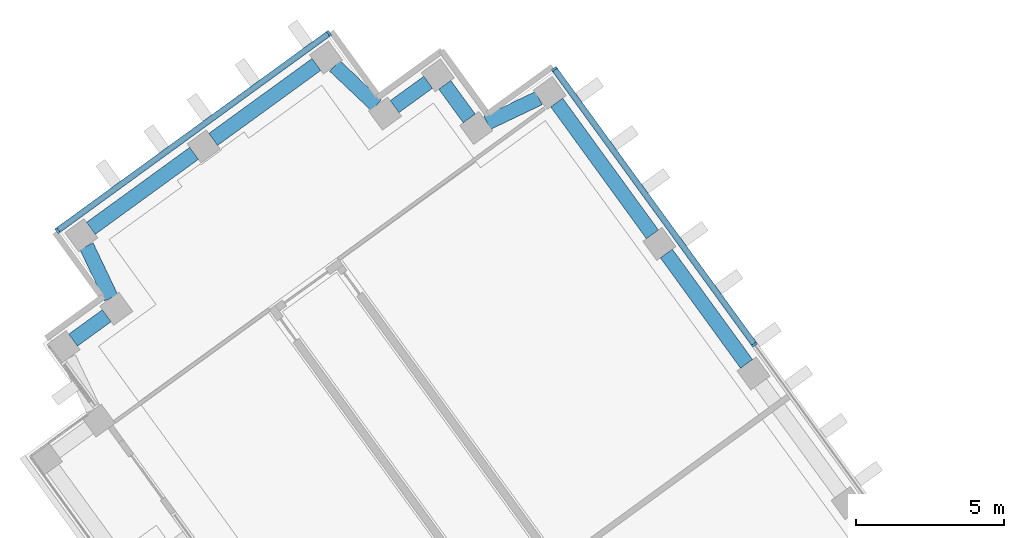
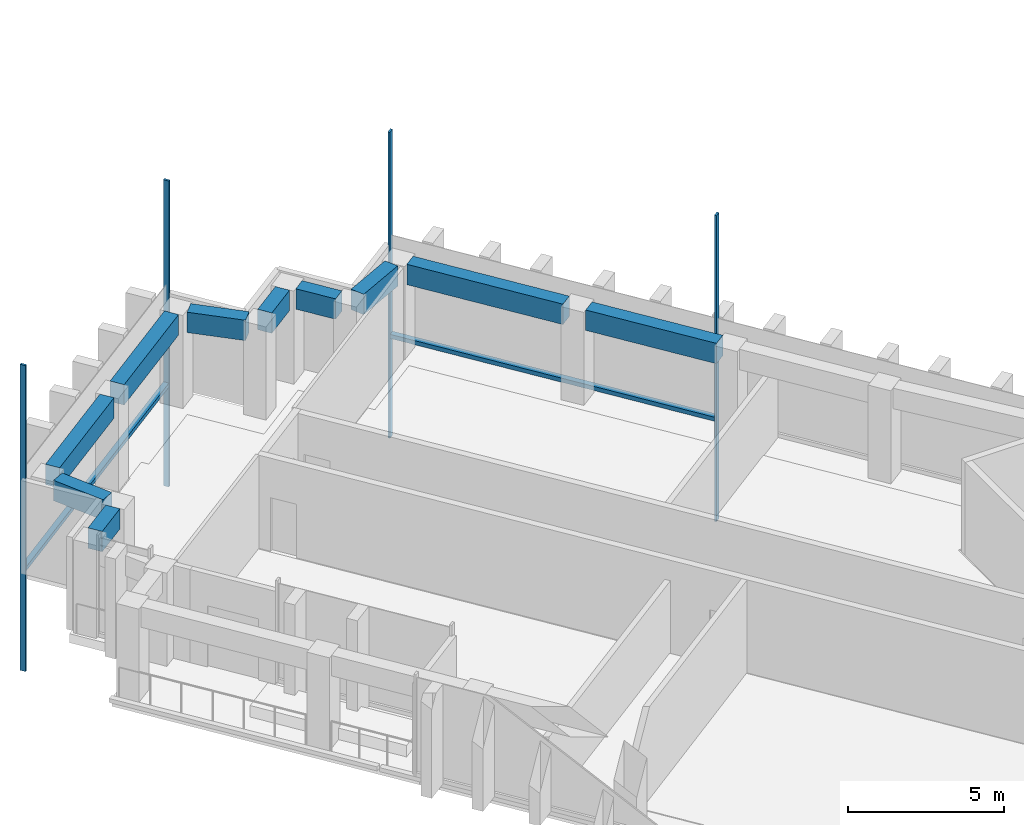
# One storey, part 4 of 13: 10 beams, 6 members, 2 elements without a shape of their own.
"""IFC4 building model written with IfcOpenShell, lengths in metres."""

from ifc_helpers import new_model, si_unit, direction, frame, origin, origin_2d, place, context, subcontext, project, spatial, rectangle, extrude, material, material_profile, profile_set, type_object, element, aggregate, save


model = new_model("IFC4")

# Units and contexts
model_context = context("Model", 3, precision=1e-05, world=origin(), true_north=direction((0.0, 1.0)))
body_context = subcontext(model_context, "Body", "Model", "MODEL_VIEW")
ifc_project = project(units=[si_unit("LENGTHUNIT", "METRE"), si_unit("AREAUNIT", "SQUARE_METRE"), si_unit("VOLUMEUNIT", "CUBIC_METRE"), si_unit("PLANEANGLEUNIT", "RADIAN"), si_unit("MASSUNIT", "GRAM", prefix="KILO")], contexts=[model_context])

# Site, building, storey
site_placement = place(None, origin())
site = spatial("IfcSite", under=ifc_project, at=site_placement, CompositionType="ELEMENT")
building_placement = place(site_placement, origin())
building = spatial("IfcBuilding", under=site, at=building_placement, Name="Quipu Civic Tower", CompositionType="ELEMENT")
storey_placement = place(building_placement, frame((0.0, 0.0, 148.0)))
storey = spatial("IfcBuildingStorey", under=building, at=storey_placement, Name="L34", CompositionType="ELEMENT", Elevation=148.0)

# Curtain wall, members
ifc_material_1 = material(Name="Insulated glass unit", Category="glass")
curtain_wall_type = type_object("IfcCurtainWallType", Name="Office curtain wall CW1", PredefinedType="NOTDEFINED", material=ifc_material_1)
curtain_wall_1_placement = place(storey_placement, origin())
curtain_wall_1 = element("IfcCurtainWall", 1, at=curtain_wall_1_placement, inside=storey, type_object=curtain_wall_type, Name="Office curtain wall CW1 L33 run 32", PredefinedType="NOTDEFINED")
ifc_material_2 = material(Name="Anodised aluminium", Category="aluminium")
ifc_material_profile_1 = material_profile(ifc_material_2, rectangle(XDim=0.199951171875, YDim=0.080078125, at=origin_2d()), Name="RECT 200x80")
ifc_profile_set_1 = profile_set([ifc_material_profile_1], Name="Anodised aluminium")
member_type_1 = type_object("IfcMemberType", Name="Mullion CW1", PredefinedType="MULLION", material=ifc_profile_set_1)
member_1_placement = place(storey_placement, frame((-21.11669921875, 20.421630859375, -3.919921875), z_axis=(0.0, 0.0, 1.0), x_axis=(-0.809014469803, -0.587788727052, 0.0)))
member_1 = element("IfcMember", 2, at=member_1_placement, type_object=member_type_1, Name="CW1 mullion 2", PredefinedType="MULLION", context=body_context, shape_type="SweptSolid", body=[
    extrude(rectangle(XDim=0.199951171875, YDim=0.080078125, at=origin_2d()), origin(), (0.0, 0.0, 1.0), 12.0),
])
member_2_placement = place(storey_placement, frame((-27.865966796875, 29.7109375, -3.919921875), z_axis=(0.0, 0.0, 1.0), x_axis=(-0.809014469803, -0.587788727052, 0.0)))
member_2 = element("IfcMember", 3, at=member_2_placement, type_object=member_type_1, Name="CW1 mullion 3", PredefinedType="MULLION", context=body_context, shape_type="SweptSolid", body=[
    extrude(rectangle(XDim=0.199951171875, YDim=0.080078125, at=origin_2d()), origin(), (0.0, 0.0, 1.0), 12.0),
])

curtain_wall_2_placement = place(storey_placement, origin())
curtain_wall_2 = element("IfcCurtainWall", 4, at=curtain_wall_2_placement, inside=storey, type_object=curtain_wall_type, Name="Office curtain wall CW1 L33 run 37", PredefinedType="NOTDEFINED")
member_3_placement = place(storey_placement, frame((-35.46435546875, 30.914306640625, -3.919921875), z_axis=(0.0, 0.0, 1.0), x_axis=(0.587787753918, -0.809015176832, 0.0)))
member_3 = element("IfcMember", 5, at=member_3_placement, type_object=member_type_1, Name="CW1 mullion 1", PredefinedType="MULLION", context=body_context, shape_type="SweptSolid", body=[
    extrude(rectangle(XDim=0.199951171875, YDim=0.080078125, at=origin_2d()), origin(), (0.0, 0.0, 1.0), 12.0),
])
member_4_placement = place(storey_placement, frame((-44.62255859375, 24.260498046875, -3.919921875), z_axis=(0.0, 0.0, 1.0), x_axis=(0.587787753918, -0.809015176832, 0.0)))
member_4 = element("IfcMember", 6, at=member_4_placement, type_object=member_type_1, Name="CW1 mullion 2", PredefinedType="MULLION", context=body_context, shape_type="SweptSolid", body=[
    extrude(rectangle(XDim=0.199951171875, YDim=0.080078125, at=origin_2d()), origin(), (0.0, 0.0, 1.0), 12.0),
])

# Beams
ifc_material_3 = material(Name="Concrete C50/60", Category="concrete")
ifc_material_profile_2 = material_profile(ifc_material_3, rectangle(XDim=0.5, YDim=0.800048828125, at=origin_2d()), Name="RC500x800")
ifc_profile_set_2 = profile_set([ifc_material_profile_2], Name="Concrete C50/60")
beam_type = type_object("IfcBeamType", Name="Spandrel beam RC 500x800 C50/60", PredefinedType="SPANDREL", material=ifc_profile_set_2)
beam_1_placement = place(storey_placement, frame((-21.382568359375, 19.767333984375, 3.25), z_axis=(-0.587736122681, 0.809052686848, 0.0), x_axis=(-0.809052686848, -0.587736122681, 0.0)))
element("IfcBeam", 7, at=beam_1_placement, inside=storey, type_object=beam_type, Name="Spandrel beam L34 W-IN-02 to W-IN-03", PredefinedType="SPANDREL", context=body_context, shape_type="SweptSolid", body=[
    extrude(rectangle(XDim=0.5, YDim=0.800048828125, at=origin_2d()), origin(), (0.0, 0.0, 1.0), 4.60009765625),
])
beam_2_placement = place(storey_placement, frame((-24.556396484375, 24.13623046875, 3.25), z_axis=(-0.587664254196, 0.809104890815, 0.0), x_axis=(-0.809104890815, -0.587664254196, 0.0)))
element("IfcBeam", 8, at=beam_2_placement, inside=storey, type_object=beam_type, Name="Spandrel beam L34 W-IN-03 to T-Wi.0-W34", PredefinedType="SPANDREL", context=body_context, shape_type="SweptSolid", body=[
    extrude(rectangle(XDim=0.5, YDim=0.800048828125, at=origin_2d()), origin(), (0.0, 0.0, 1.0), 5.493896484375),
])
beam_3_placement = place(storey_placement, frame((-28.38720703125, 28.72998046875, 3.25), z_axis=(-0.902584802379, -0.430512107279, 0.0), x_axis=(0.430512107279, -0.902584802379, 0.0)))
element("IfcBeam", 9, at=beam_3_placement, inside=storey, type_object=beam_type, Name="Spandrel beam L34 T-Wi.0-W34 to T-Wi.1-W34", PredefinedType="SPANDREL", context=body_context, shape_type="SweptSolid", body=[
    extrude(rectangle(XDim=0.5, YDim=0.800048828125, at=origin_2d()), origin(), (0.0, 0.0, 1.0), 1.9326171875),
])
beam_4_placement = place(storey_placement, frame((-30.734375, 28.0458984375, 3.25), z_axis=(-0.589342949835, 0.80788296645, 0.0), x_axis=(-0.80788296645, -0.589342949835, 0.0)))
element("IfcBeam", 10, at=beam_4_placement, inside=storey, type_object=beam_type, Name="Spandrel beam L34 T-Wi.1-W34 to T-Wi.2-W34", PredefinedType="SPANDREL", context=body_context, shape_type="SweptSolid", body=[
    extrude(rectangle(XDim=0.5, YDim=0.800048828125, at=origin_2d()), origin(), (0.0, 0.0, 1.0), 1.39990234375),
])
beam_5_placement = place(storey_placement, frame((-32.118896484375, 29.26513671875, 3.25), z_axis=(-0.80941533633, -0.587236590578, 0.0), x_axis=(0.587236590578, -0.80941533633, 0.0)))
element("IfcBeam", 11, at=beam_5_placement, inside=storey, type_object=beam_type, Name="Spandrel beam L34 T-Wi.2-W34 to T-Wi.3-W34", PredefinedType="SPANDREL", context=body_context, shape_type="SweptSolid", body=[
    extrude(rectangle(XDim=0.5, YDim=0.800048828125, at=origin_2d()), origin(), (0.0, 0.0, 1.0), 1.397705078125),
])
beam_6_placement = place(storey_placement, frame((-33.868896484375, 28.489501953125, 3.25), z_axis=(-0.72519185421, 0.68854685722, 0.0), x_axis=(-0.68854685722, -0.72519185421, 0.0)))
element("IfcBeam", 12, at=beam_6_placement, inside=storey, type_object=beam_type, Name="Spandrel beam L34 T-Wi.3-W34 to T-Wi.4-W34", PredefinedType="SPANDREL", context=body_context, shape_type="SweptSolid", body=[
    extrude(rectangle(XDim=0.5, YDim=0.800048828125, at=origin_2d()), origin(), (0.0, 0.0, 1.0), 1.93212890625),
])
beam_7_placement = place(storey_placement, frame((-35.888671875, 29.86474609375, 3.25), z_axis=(-0.808983997561, -0.58783066583, 0.0), x_axis=(0.58783066583, -0.808983997561, 0.0)))
element("IfcBeam", 13, at=beam_7_placement, inside=storey, type_object=beam_type, Name="Spandrel beam L34 T-Wi.4-W34 to TIP-W-01-W34", PredefinedType="SPANDREL", context=body_context, shape_type="SweptSolid", body=[
    extrude(rectangle(XDim=0.5, YDim=0.800048828125, at=origin_2d()), origin(), (0.0, 0.0, 1.0), 4.2998046875),
])
beam_8_placement = place(storey_placement, frame((-40.014404296875, 26.866943359375, 3.25), z_axis=(-0.808947267178, -0.587881211578, 0.0), x_axis=(0.587881211578, -0.808947267178, 0.0)))
element("IfcBeam", 14, at=beam_8_placement, inside=storey, type_object=beam_type, Name="Spandrel beam L34 TIP-W-01-W34 to T-Wo.0-W34", PredefinedType="SPANDREL", context=body_context, shape_type="SweptSolid", body=[
    extrude(rectangle(XDim=0.5, YDim=0.800048828125, at=origin_2d()), origin(), (0.0, 0.0, 1.0), 4.29833984375),
])
beam_9_placement = place(storey_placement, frame((-43.64013671875, 23.737548828125, 3.25), z_axis=(0.429889421342, -0.902881545618, 0.0), x_axis=(0.902881545618, 0.429889421342, 0.0)))
element("IfcBeam", 15, at=beam_9_placement, inside=storey, type_object=beam_type, Name="Spandrel beam L34 T-Wo.0-W34 to T-Wo.1-W34", PredefinedType="SPANDREL", context=body_context, shape_type="SweptSolid", body=[
    extrude(rectangle(XDim=0.5, YDim=0.800048828125, at=origin_2d()), origin(), (0.0, 0.0, 1.0), 1.931396484375),
])
beam_10_placement = place(storey_placement, frame((-42.958740234375, 21.391357421875, 3.25), z_axis=(-0.809467380413, -0.587164849125, 0.0), x_axis=(0.587164849125, -0.809467380413, 0.0)))
element("IfcBeam", 16, at=beam_10_placement, inside=storey, type_object=beam_type, Name="Spandrel beam L34 T-Wo.1-W34 to T-Wo.2-W34", PredefinedType="SPANDREL", context=body_context, shape_type="SweptSolid", body=[
    extrude(rectangle(XDim=0.5, YDim=0.800048828125, at=origin_2d()), origin(), (0.0, 0.0, 1.0), 1.399169921875),
])

# Member
ifc_material_4 = material(Name="Anodised aluminium", Category="aluminium")
ifc_material_profile_3 = material_profile(ifc_material_4, rectangle(XDim=0.199951171875, YDim=0.159912109375, at=origin_2d()), Name="RECT 200x160")
ifc_profile_set_3 = profile_set([ifc_material_profile_3], Name="Anodised aluminium")
member_type_2 = type_object("IfcMemberType", Name="Transom CW1", PredefinedType="USERDEFINED", material=ifc_profile_set_3)
member_5_placement = place(storey_placement, frame((-21.140380859375, 20.453857421875, 0.080078125), z_axis=(-0.587775682251, 0.809023947331, 0.0), x_axis=(-0.809023947331, -0.587775682251, 0.0)))
member_5 = element("IfcMember", 17, at=member_5_placement, type_object=member_type_2, Name="CW1 transom 2.2", ObjectType="TRANSOM", PredefinedType="USERDEFINED", context=body_context, shape_type="SweptSolid", body=[
    extrude(rectangle(XDim=0.199951171875, YDim=0.159912109375, at=origin_2d()), origin(), (0.0, 0.0, 1.0), 11.402099609375),
])

aggregate(curtain_wall_1, [member_1, member_2, member_5])

member_6_placement = place(storey_placement, frame((-35.496826171875, 30.890869140625, 0.080078125), z_axis=(-0.809014959561, -0.587788052963, 0.0), x_axis=(0.587788052963, -0.809014959561, 0.0)))
member_6 = element("IfcMember", 18, at=member_6_placement, type_object=member_type_2, Name="CW1 transom 1.2", ObjectType="TRANSOM", PredefinedType="USERDEFINED", context=body_context, shape_type="SweptSolid", body=[
    extrude(rectangle(XDim=0.199951171875, YDim=0.159912109375, at=origin_2d()), origin(), (0.0, 0.0, 1.0), 11.239990234375),
])

aggregate(curtain_wall_2, [member_3, member_4, member_6])

save(model, "model.ifc")
